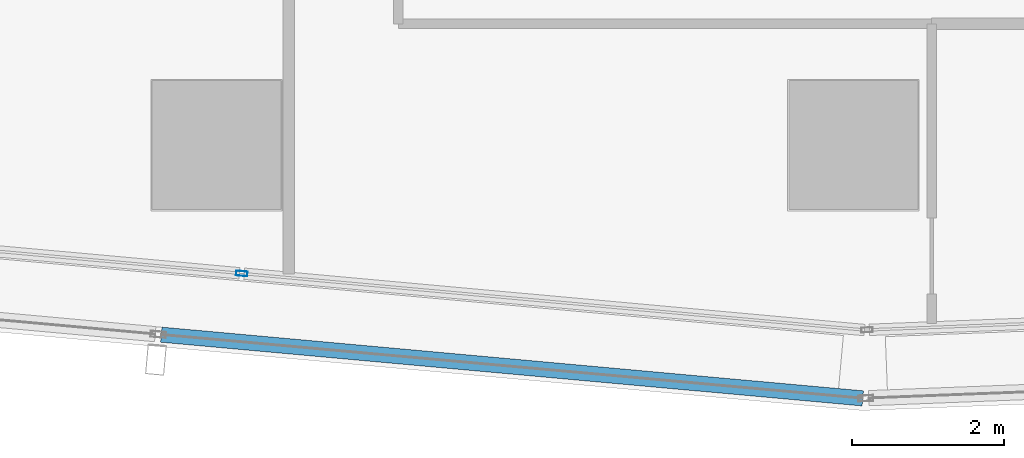
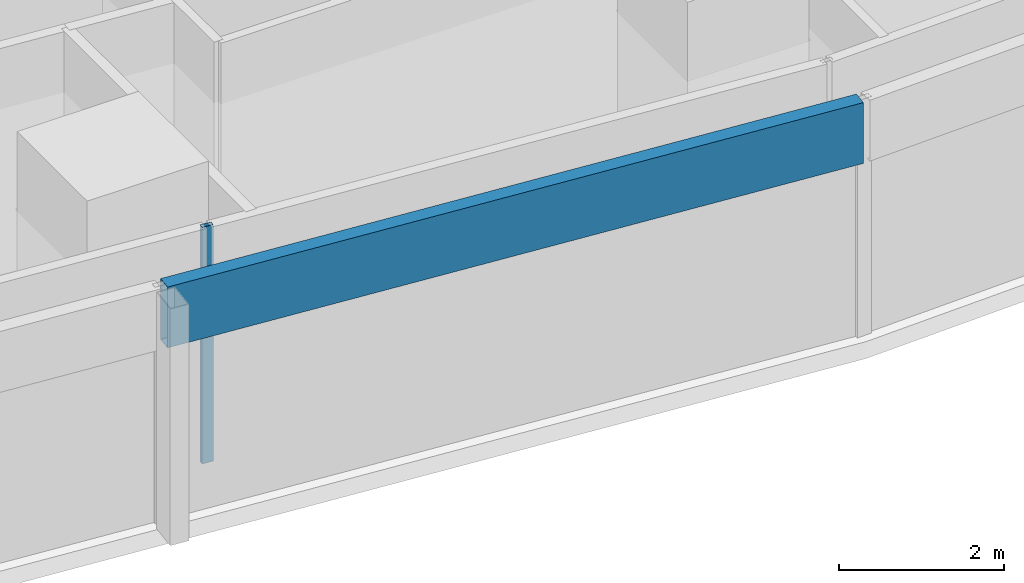
# One storey, part 3 of 40: 2 members, 2 elements without a shape of their own.
"""IFC4 building model written with IfcOpenShell, lengths in metres."""

from ifc_helpers import new_model, si_unit, direction, frame, origin, origin_2d, place, context, subcontext, project, spatial, hollow_rectangle, extrude, material, material_profile, profile_set, type_object, element, aggregate, save


model = new_model("IFC4")

# Units and contexts
model_context = context("Model", 3, precision=1e-05, world=origin(), true_north=direction((0.0, 1.0)))
body_context = subcontext(model_context, "Body", "Model", "MODEL_VIEW")
ifc_project = project(units=[si_unit("LENGTHUNIT", "METRE"), si_unit("AREAUNIT", "SQUARE_METRE"), si_unit("VOLUMEUNIT", "CUBIC_METRE"), si_unit("PLANEANGLEUNIT", "RADIAN"), si_unit("MASSUNIT", "GRAM", prefix="KILO")], contexts=[model_context])

# Site, building, storey
site_placement = place(None, origin())
site = spatial("IfcSite", under=ifc_project, at=site_placement, CompositionType="ELEMENT")
building_placement = place(site_placement, origin())
building = spatial("IfcBuilding", under=site, at=building_placement, Name="Rekha Terrace Tower", CompositionType="ELEMENT")
storey_placement = place(building_placement, frame((0.0, 0.0, 106.550048828125)))
storey = spatial("IfcBuildingStorey", under=building, at=storey_placement, Name="L26", CompositionType="ELEMENT", Elevation=106.550048828125)

# Curtain wall, member
ifc_material_1 = material(Name="Aluminium framing", Category="aluminium")
curtain_wall_type_1 = type_object("IfcCurtainWallType", Name="CW1 double skin inner glazing", PredefinedType="USERDEFINED", material=ifc_material_1)
curtain_wall_1_placement = place(storey_placement, origin())
curtain_wall_1 = element("IfcCurtainWall", 1, at=curtain_wall_1_placement, inside=storey, type_object=curtain_wall_type_1, Name="CW1 double skin inner glazing", ObjectType="DOUBLE SKIN INNER GLAZING", PredefinedType="USERDEFINED")
ifc_material_2 = material(Name="Aluminium mullion section", Category="aluminium")
ifc_material_profile_1 = material_profile(ifc_material_2, hollow_rectangle(XDim=0.06494140625, YDim=0.14990234375, WallThickness=0.00390625, at=origin_2d()), Name="AL RHS 65x150")
ifc_profile_set_1 = profile_set([ifc_material_profile_1], Name="Aluminium mullion section")
member_type_1 = type_object("IfcMemberType", Name="CW1 mullion RHS 65 x 150", PredefinedType="MULLION", material=ifc_profile_set_1)
member_1_placement = place(storey_placement, frame((17.13427734375, 15.107666015625, 0.0), z_axis=(0.0, 0.0, 1.0), x_axis=(0.090439811381, 0.995901923142, 0.0)))
member_1 = element("IfcMember", 2, at=member_1_placement, type_object=member_type_1, Name="CW1 mullion 2", PredefinedType="MULLION", context=body_context, shape_type="SweptSolid", body=[
    extrude(hollow_rectangle(XDim=0.06494140625, YDim=0.14990234375, WallThickness=0.00390625, at=origin_2d()), origin(), (0.0, 0.0, 1.0), 3.5),
])
aggregate(curtain_wall_1, [member_1])

curtain_wall_type_2 = type_object("IfcCurtainWallType", Name="CW2 double skin outer glazing", PredefinedType="USERDEFINED", material=ifc_material_1)
curtain_wall_2_placement = place(storey_placement, origin())
curtain_wall_2 = element("IfcCurtainWall", 3, at=curtain_wall_2_placement, inside=storey, type_object=curtain_wall_type_2, Name="CW2 double skin outer glazing", ObjectType="DOUBLE SKIN OUTER GLAZING", PredefinedType="USERDEFINED")
ifc_material_3 = material(Name="Insulated aluminium spandrel box", Category="aluminium")
ifc_material_profile_2 = material_profile(ifc_material_3, hollow_rectangle(XDim=0.199951171875, YDim=0.89990234375, WallThickness=0.0029296875, at=origin_2d()), Name="AL SPANDREL BOX 200x900")
ifc_profile_set_2 = profile_set([ifc_material_profile_2], Name="Insulated aluminium spandrel box")
member_type_2 = type_object("IfcMemberType", Name="CW2 spandrel transom 200 x 900", PredefinedType="USERDEFINED", material=ifc_profile_set_2)
member_2_placement = place(storey_placement, frame((16.072265625, 14.300537109375, 3.050048828125), z_axis=(0.995900527097, -0.090455182982, 0.0), x_axis=(0.090455182982, 0.995900527097, 0.0)))
member_2 = element("IfcMember", 4, at=member_2_placement, type_object=member_type_2, Name="CW2 spandrel transom 2", ObjectType="TRANSOM", PredefinedType="USERDEFINED", context=body_context, shape_type="SweptSolid", body=[
    extrude(hollow_rectangle(XDim=0.199951171875, YDim=0.89990234375, WallThickness=0.0029296875, at=origin_2d()), origin(), (0.0, 0.0, 1.0), 9.2900390625),
])
aggregate(curtain_wall_2, [member_2])

save(model, "model.ifc")
